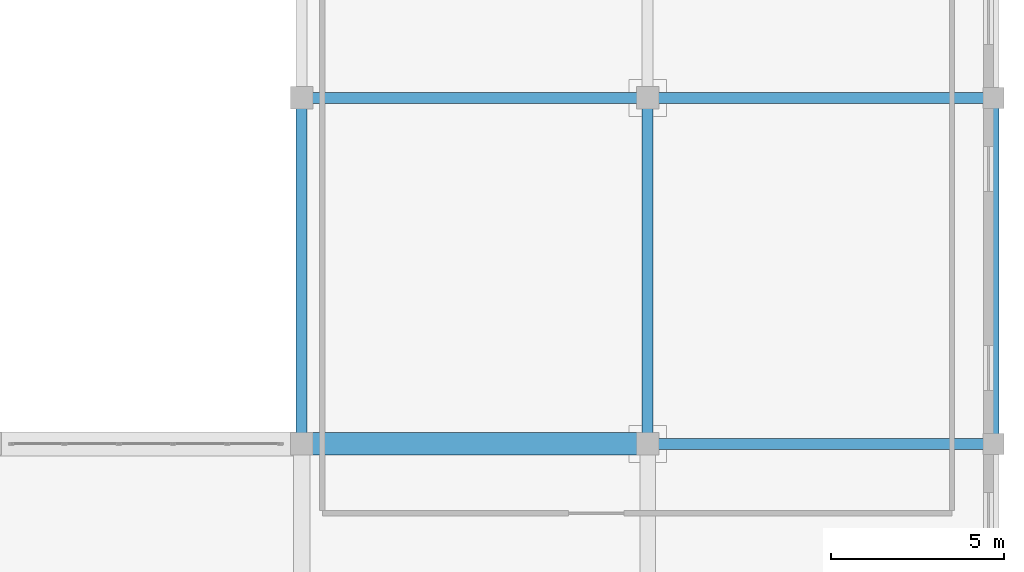
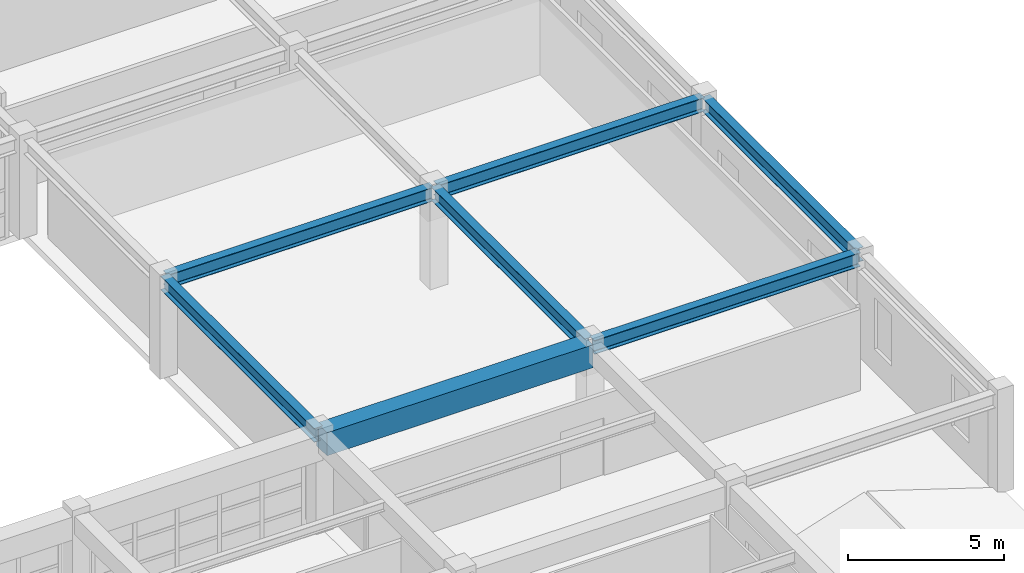
# One storey, part 85 of 130: 7 beams.
"""IFC4 building model written with IfcOpenShell, lengths in metres."""

from ifc_helpers import new_model, si_unit, direction, frame, origin, origin_2d, place, context, subcontext, project, spatial, rectangle, i_section, extrude, material, material_profile, profile_set, type_object, element, save


model = new_model("IFC4")

# Units and contexts
model_context = context("Model", 3, precision=1e-05, world=origin(), true_north=direction((0.0, 1.0)))
body_context = subcontext(model_context, "Body", "Model", "MODEL_VIEW")
ifc_project = project(units=[si_unit("LENGTHUNIT", "METRE"), si_unit("AREAUNIT", "SQUARE_METRE"), si_unit("VOLUMEUNIT", "CUBIC_METRE"), si_unit("PLANEANGLEUNIT", "RADIAN"), si_unit("MASSUNIT", "GRAM", prefix="KILO")], contexts=[model_context])

# Site, building, storey
site_placement = place(None, origin())
site = spatial("IfcSite", under=ifc_project, at=site_placement, CompositionType="ELEMENT")
building_placement = place(site_placement, origin())
building = spatial("IfcBuilding", under=site, at=building_placement, Name="Miravela Opera House", CompositionType="ELEMENT")
storey_placement = place(building_placement, frame((0.0, 0.0, 9.52001953125)))
storey = spatial("IfcBuildingStorey", under=building, at=storey_placement, Name="L02", CompositionType="ELEMENT", Elevation=9.52001953125)

# Beams
ifc_material_1 = material(Name="Concrete C40/50", Category="concrete")
ifc_material_profile_1 = material_profile(ifc_material_1, rectangle(XDim=0.64990234375, YDim=0.89990234375, at=origin_2d()), Name="RC-BM-650X900")
ifc_profile_set_1 = profile_set([ifc_material_profile_1])
beam_type_1 = type_object("IfcBeamType", Name="STR-BM-RC650X900", PredefinedType="BEAM", material=ifc_profile_set_1)
beam_placement = place(storey_placement, frame((144.080078125, 84.0, 3.389892578125), z_axis=(1.0, 0.0, 0.0), x_axis=(0.0, 1.0, 0.0)))
element("IfcBeam", 1, at=beam_placement, inside=storey, type_object=beam_type_1, Name="Floor Girder L02 17-18/J", PredefinedType="BEAM", context=body_context, shape_type="SweptSolid", body=[
    extrude(rectangle(XDim=0.64990234375, YDim=0.89990234375, at=origin_2d()), origin(), (0.0, 0.0, 1.0), 9.83984375),
])
ifc_material_2 = material(Name="Structural steel ASTM A992 Gr. 50", Category="steel")
ifc_material_profile_2 = material_profile(ifc_material_2, i_section(OverallWidth=0.31201171875, OverallDepth=0.54296875, WebThickness=0.0126953125, FlangeThickness=0.020263671875, FilletRadius=0.01611328125, at=origin_2d()), Name="W530X150")
ifc_profile_set_2 = profile_set([ifc_material_profile_2])
beam_type_2 = type_object("IfcBeamType", Name="STR-BM-W530X150", PredefinedType="BEAM", material=ifc_profile_set_2)
for number, where, z_axis, x_axis, name in (
    (2, (154.0, 84.080078125, 3.568359375), (0.0, 1.0, 0.0), (-1.0, 0.0, 0.0), "Roof Eave Girder ROOF-V3-FAR-E W2"),
    (3, (164.0, 84.080078125, 3.568359375), (0.0, 1.0, 0.0), (-1.0, 0.0, 0.0), "Roof Eave Girder ROOF-V3-FAR-E E2"),
    (4, (154.080078125, 84.0, 3.568359375), (1.0, 0.0, 0.0), (0.0, 1.0, 0.0), "Roof King-Post Transverse Tie Girder ROOF-V3-FAR-E T1.1"),
    (5, (154.080078125, 94.0, 3.568359375), (1.0, 0.0, 0.0), (0.0, 1.0, 0.0), "Roof King-Post Transverse Tie Girder ROOF-V3-FAR-E T2.1"),
    (6, (144.0, 84.080078125, 3.568359375), (0.0, 1.0, 0.0), (-1.0, 0.0, 0.0), "Roof Eave Girder ROOF-V3-EAST-M W1"),
    (7, (144.080078125, 94.0, 3.568359375), (1.0, 0.0, 0.0), (0.0, 1.0, 0.0), "Roof King-Post Transverse Tie Girder ROOF-V3-EAST-M T1.1"),
):
    element("IfcBeam", number, at=place(storey_placement, frame(where, z_axis=z_axis, x_axis=x_axis)), inside=storey, type_object=beam_type_2, Name=name, PredefinedType="BEAM", context=body_context, shape_type="SweptSolid", body=[
        extrude(i_section(OverallWidth=0.31201171875, OverallDepth=0.54296875, WebThickness=0.0126953125, FlangeThickness=0.020263671875, FilletRadius=0.01611328125, at=origin_2d()), origin(), (0.0, 0.0, 1.0), 9.83984375),
    ])

save(model, "model.ifc")
